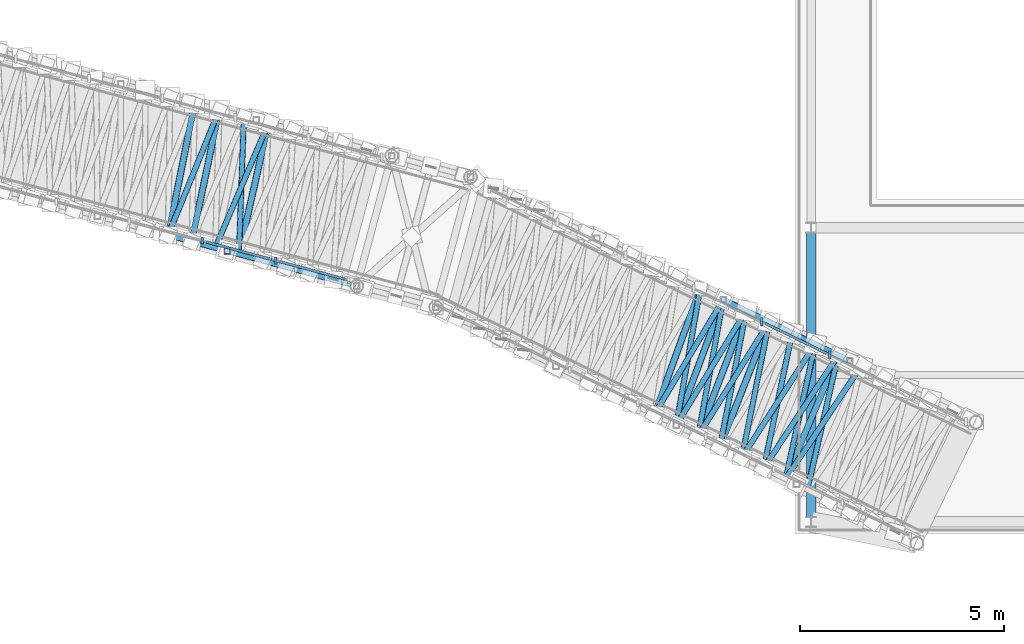
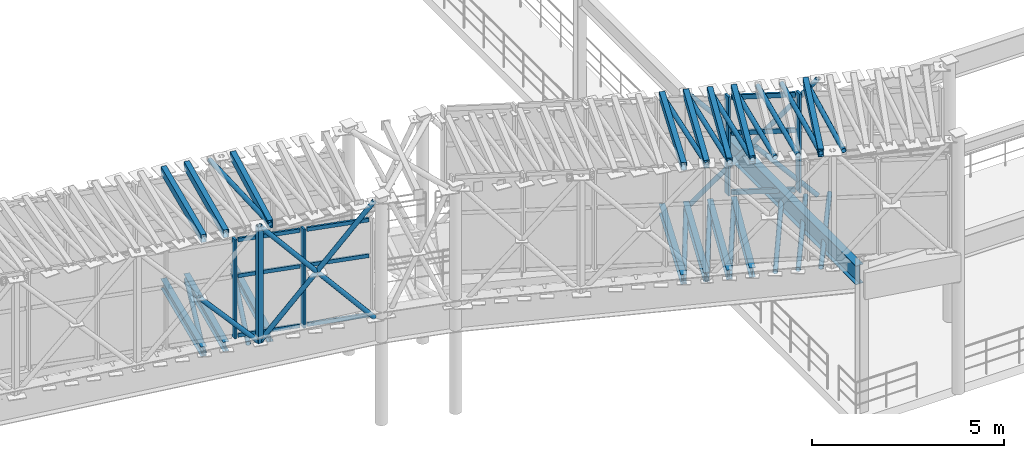
# One storey, part 63 of 144: 45 members, 8 beams, 2 elements without a shape of their own.
"""IFC4 building model written with IfcOpenShell, lengths in metres."""

import ifcopenshell
import ifcopenshell.guid

model = None  # the IFC model being written
_history = None  # IfcOwnerHistory: only IFC2X3 demands one
_inside = {}  # id of a spatial element -> (the spatial element, [elements in it])
_under = {}  # id of a project, library or spatial element -> (it, [spatial elements below it])
_declared = {}  # id of a project -> (the project, [libraries it declares])
_typed = {}  # id of a type object -> (the type object, [elements of that type])
_made_of = {}  # id of a material, layer set ... -> (it, [elements and type objects made of it])


def new_model(schema):
    """Start an empty IFC model of exactly this schema.

    Asked for "IFC4X3", IfcOpenShell would pick the latest addendum, in which some entities
    have other attributes; the version numbers below select the first issue.
    IFC2X3 requires an IfcOwnerHistory on every rooted entity: one is made here for all.
    """
    global model, _history
    if schema == "IFC4X3":
        model = ifcopenshell.file(schema_version=(4, 3, 0, 0))
    else:
        model = ifcopenshell.file(schema=schema)
    _inside.clear()
    _under.clear()
    _declared.clear()
    _typed.clear()
    _made_of.clear()
    _history = None
    if model.schema == "IFC2X3":
        org = make("IfcOrganization", Name="unknown")
        user = make(
            "IfcPersonAndOrganization",
            ThePerson=make("IfcPerson", FamilyName="unknown"),
            TheOrganization=org,
        )
        app = make(
            "IfcApplication",
            ApplicationDeveloper=org,
            Version="unknown",
            ApplicationFullName="unknown",
            ApplicationIdentifier="unknown",
        )
        _history = make(
            "IfcOwnerHistory",
            OwningUser=user,
            OwningApplication=app,
            ChangeAction="ADDED",
            CreationDate=0,
        )
    return model


def make(cls, **values):
    """One entity of the class cls with the attributes given. An attribute that is None is left unset."""
    return model.create_entity(
        cls, **{name: value for name, value in values.items() if value is not None}
    )


def rooted(cls, **values):
    """An entity with a GlobalId (a new one), such as an element, a storey or a relation."""
    return make(cls, GlobalId=ifcopenshell.guid.new(), OwnerHistory=_history, **values)


def si_unit(unit_type, name, prefix=None):
    """IfcSIUnit, for example si_unit("LENGTHUNIT", "METRE", prefix="MILLI")."""
    return make("IfcSIUnit", UnitType=unit_type, Prefix=prefix, Name=name)


def assignment(units):
    """IfcUnitAssignment: the units of a project."""
    return None if units is None else make("IfcUnitAssignment", Units=units)


def point(xyz):
    """IfcCartesianPoint."""
    return None if xyz is None else make("IfcCartesianPoint", Coordinates=xyz)


def direction(xyz):
    """IfcDirection."""
    return None if xyz is None else make("IfcDirection", DirectionRatios=xyz)


def frame(location, z_axis=None, x_axis=None):
    """IfcAxis2Placement3D, a coordinate frame: its origin and axes. An axis left out is left unset."""
    return make(
        "IfcAxis2Placement3D",
        Location=point(location),
        Axis=direction(z_axis),
        RefDirection=direction(x_axis),
    )


def frame_2d(location, x_axis=None):
    """IfcAxis2Placement2D, a coordinate frame in the plane: its origin and x axis."""
    return make(
        "IfcAxis2Placement2D", Location=point(location), RefDirection=direction(x_axis)
    )


def origin():
    """The frame at (0, 0, 0) with its axes left unset."""
    return frame((0.0, 0.0, 0.0))


def origin_2d():
    """The frame at (0, 0) in the plane with its x axis left unset."""
    return frame_2d((0.0, 0.0))


def place(relative_to, where):
    """IfcLocalPlacement: puts the frame where relative to a parent placement (None: the world)."""
    return make(
        "IfcLocalPlacement", PlacementRelTo=relative_to, RelativePlacement=where
    )


def context(
    kind, dimensions, precision=None, world=None, true_north=None, identifier=None
):
    """IfcGeometricRepresentationContext, for example the 3D "Model" context."""
    return make(
        "IfcGeometricRepresentationContext",
        ContextIdentifier=identifier,
        ContextType=kind,
        CoordinateSpaceDimension=dimensions,
        Precision=precision,
        WorldCoordinateSystem=world,
        TrueNorth=true_north,
    )


def subcontext(parent, identifier, kind, view, scale=None):
    """IfcGeometricRepresentationSubContext, for example "Body" below "Model"."""
    return make(
        "IfcGeometricRepresentationSubContext",
        ContextIdentifier=identifier,
        ContextType=kind,
        ParentContext=parent,
        TargetScale=scale,
        TargetView=view,
    )


def project(units=None, contexts=None):
    """IfcProject with its units and contexts."""
    return rooted(
        "IfcProject",
        Name="project",
        RepresentationContexts=contexts,
        UnitsInContext=assignment(units),
    )


def spatial(cls, under=None, at=None, **own):
    """A site, building, storey or space (cls), placed at a placement, below another one or the project."""
    s = rooted(cls, ObjectPlacement=at, **own)
    if under is not None:
        _under.setdefault(under.id(), (under, []))[1].append(s)
    return s


def profile(cls, at=None, kind="AREA", **sizes):
    """A parametric profile (cls). Its sizes go by their IFC names, for example OverallWidth=200.0."""
    return make(cls, ProfileType=kind, Position=at, **sizes)


def rectangle(**sizes):
    """IfcRectangleProfileDef."""
    return profile("IfcRectangleProfileDef", **sizes)


def hollow_rectangle(**sizes):
    """IfcRectangleHollowProfileDef."""
    return profile("IfcRectangleHollowProfileDef", **sizes)


def hollow_circle(**sizes):
    """IfcCircleHollowProfileDef."""
    return profile("IfcCircleHollowProfileDef", **sizes)


def i_section(**sizes):
    """IfcIShapeProfileDef."""
    return profile("IfcIShapeProfileDef", **sizes)


def extrude(swept, where, along, depth):
    """IfcExtrudedAreaSolid: the profile swept, set in the frame where, extruded along a direction by depth."""
    return make(
        "IfcExtrudedAreaSolid",
        SweptArea=swept,
        Position=where,
        ExtrudedDirection=direction(along),
        Depth=depth,
    )


def shape(context_of_items, identifier, shape_type, items):
    """IfcShapeRepresentation: the items that make up one representation, for example the "Body"."""
    return make(
        "IfcShapeRepresentation",
        ContextOfItems=context_of_items,
        RepresentationIdentifier=identifier,
        RepresentationType=shape_type,
        Items=items,
    )


def material(Name=None, Category=None):
    """IfcMaterial."""
    return make("IfcMaterial", Name=Name, Category=Category)


def material_profile(
    of_material, cross_section, Name=None, Category=None, Priority=None
):
    """IfcMaterialProfile: a cross section and its material."""
    return make(
        "IfcMaterialProfile",
        Name=Name,
        Material=of_material,
        Profile=cross_section,
        Priority=Priority,
        Category=Category,
    )


def profile_set(profiles, Name=None, composite=None):
    """IfcMaterialProfileSet."""
    return make(
        "IfcMaterialProfileSet",
        Name=Name,
        MaterialProfiles=profiles,
        CompositeProfile=composite,
    )


def made_of(thing, what):
    """Note that an element or type object is made of a material, layer set ...; save() writes the relation."""
    if what is not None:
        _made_of.setdefault(what.id(), (what, []))[1].append(thing)
    return thing


def type_object(cls, material=None, **own):
    """A type object (cls), such as IfcWallType, which elements share."""
    return made_of(rooted(cls, **own), material)


def element(
    cls,
    number,
    at=None,
    inside=None,
    cuts=None,
    type_object=None,
    material=None,
    context=None,
    identifier="Body",
    shape_type=None,
    held_by="IfcProductDefinitionShape",
    body=None,
    shapes=None,
    **own,
):
    """One element of the class cls, such as IfcWall. Its Tag is "e" and its number.

    at: its placement. inside: the storey or other place that contains it. cuts: it is an
    opening in that element (IfcRelVoidsElement). A single representation is given by context,
    identifier, shape_type and body (its items); several are given by shapes. held_by: the class
    of the entity that holds the representations. save() writes the other relations.
    """
    e = rooted(cls, Tag="e%d" % number, ObjectPlacement=at, **own)
    if body is not None:
        shapes = [shape(context, identifier, shape_type, body)]
    if shapes is not None:
        e.Representation = make(held_by, Representations=shapes)
    if inside is not None:
        _inside.setdefault(inside.id(), (inside, []))[1].append(e)
    if cuts is not None:
        rooted(
            "IfcRelVoidsElement", RelatingBuildingElement=cuts, RelatedOpeningElement=e
        )
    if type_object is not None:
        _typed.setdefault(type_object.id(), (type_object, []))[1].append(e)
    return made_of(e, material)


def aggregate(whole, parts):
    """IfcRelAggregates: a whole, such as a stair, and the parts it consists of."""
    return rooted("IfcRelAggregates", RelatingObject=whole, RelatedObjects=parts)


def save(model, path):
    """Write the relations noted so far, then the file.

    IfcRelAggregates (storeys below a building ...), IfcRelContainedInSpatialStructure (elements
    in a storey), IfcRelDefinesByType, IfcRelAssociatesMaterial and IfcRelDeclares: one each for
    every whole, place, type object, material and project.
    """
    for whole, parts in _under.values():
        aggregate(whole, parts)
    for where, things in _inside.values():
        rooted(
            "IfcRelContainedInSpatialStructure",
            RelatedElements=things,
            RelatingStructure=where,
        )
    for kind, things in _typed.values():
        rooted("IfcRelDefinesByType", RelatedObjects=things, RelatingType=kind)
    for what, things in _made_of.values():
        rooted("IfcRelAssociatesMaterial", RelatedObjects=things, RelatingMaterial=what)
    for by, libraries in _declared.values():
        rooted("IfcRelDeclares", RelatingContext=by, RelatedDefinitions=libraries)
    model.write(path)


model = new_model("IFC4")

# Units and contexts
model_context = context("Model", 3, precision=1e-05, world=origin(), true_north=direction((0.0, 1.0)))
body_context = subcontext(model_context, "Body", "Model", "MODEL_VIEW")
ifc_project = project(units=[si_unit("LENGTHUNIT", "METRE"), si_unit("AREAUNIT", "SQUARE_METRE"), si_unit("VOLUMEUNIT", "CUBIC_METRE"), si_unit("PLANEANGLEUNIT", "RADIAN"), si_unit("MASSUNIT", "GRAM", prefix="KILO")], contexts=[model_context])

# Site, building, storey
site_placement = place(None, origin())
site = spatial("IfcSite", under=ifc_project, at=site_placement, CompositionType="ELEMENT")
building_placement = place(site_placement, origin())
building = spatial("IfcBuilding", under=site, at=building_placement, Name="Cinderbank Siding Concert Hall", CompositionType="ELEMENT")
storey_placement = place(building_placement, frame((0.0, 0.0, 5.39990234375)))
storey = spatial("IfcBuildingStorey", under=building, at=storey_placement, Name="L02", CompositionType="ELEMENT", Elevation=5.39990234375)

# Beam
ifc_material_1 = material(Name="Structural steel AS/NZS 3679.1 Grade 350 (340 MPa)", Category="steel")
ifc_material_profile_1 = material_profile(ifc_material_1, i_section(OverallWidth=0.22802734375, OverallDepth=0.602294921875, WebThickness=0.010498046875, FlangeThickness=0.014892578125, at=origin_2d()), Name="610UB101", Category="LoadBearing")
ifc_profile_set_1 = profile_set([ifc_material_profile_1], Name="Structural steel AS/NZS 3679.1 Grade 350 (340 MPa)")
beam_type_1 = type_object("IfcBeamType", Name="BM-UB610 610UB101", PredefinedType="BEAM", material=ifc_profile_set_1)
beam_1_placement = place(storey_placement, frame((118.39990234375, 88.719970703125, 4.240966796875), z_axis=(0.0, 1.0, 0.0), x_axis=(-1.0, 0.0, 0.0)))
element("IfcBeam", 1, at=beam_1_placement, inside=storey, type_object=beam_type_1, Name="L02 Beam BM-UB610 #1529", PredefinedType="BEAM", context=body_context, shape_type="SweptSolid", body=[
    extrude(i_section(OverallWidth=0.22802734375, OverallDepth=0.602294921875, WebThickness=0.010498046875, FlangeThickness=0.014892578125, at=origin_2d()), origin(), (0.0, 0.0, 1.0), 6.9599609375),
])

# Members
ifc_material_2 = material(Name="Structural steel hollow section AS/NZS 1163 Grade C350L0 (350 MPa)", Category="steel")
ifc_material_profile_2 = material_profile(ifc_material_2, hollow_circle(Radius=0.06982421875, WallThickness=0.00634765625, at=origin_2d()), Name="139.7x6.4CHS", Category="LoadBearing")
ifc_profile_set_2 = profile_set([ifc_material_profile_2], Name="Structural steel hollow section AS/NZS 1163 Grade C350L0 (350 MPa)")
member_type_1 = type_object("IfcMemberType", Name="BR-CHS139 139.7x6.4CHS Roof Truss", PredefinedType="BRACE", material=ifc_profile_set_2)
member_1_placement = place(storey_placement, frame((102.52197265625, 95.65673828125, 4.869140625), z_axis=(0.665065299199, -0.179547040527, -0.724879995613), x_axis=(0.260637993409, 0.965436604025, 0.0)))
element("IfcMember", 2, at=member_1_placement, inside=storey, type_object=member_type_1, Name="L02 Diagonal Brace BR-CHS139 #BRDR-BR-CHS139-L02-0359-S43", PredefinedType="BRACE", context=body_context, shape_type="SweptSolid", body=[
    extrude(hollow_circle(Radius=0.06982421875, WallThickness=0.00634765625, at=origin_2d()), origin(), (0.0, 0.0, 1.0), 2.371337890625),
])
member_2_placement = place(storey_placement, frame((104.09912109375, 95.23095703125, 3.150146484375), z_axis=(0.598119618035, -0.16142835035, 0.78498013365), x_axis=(0.260569645103, 0.965455053356, 0.0)))
element("IfcMember", 3, at=member_2_placement, inside=storey, type_object=member_type_1, Name="L02 Diagonal Brace BR-CHS139 #BRDR-BR-CHS139-L02-0361", PredefinedType="BRACE", context=body_context, shape_type="SweptSolid", body=[
    extrude(hollow_circle(Radius=0.06982421875, WallThickness=0.00634765625, at=origin_2d()), origin(), (0.0, 0.0, 1.0), 5.00146484375),
])
member_3_placement = place(storey_placement, frame((104.09912109375, 95.23095703125, 6.85009765625), z_axis=(0.642670819416, -0.173469386611, -0.746245663156), x_axis=(0.260593414181, 0.965448637932, 0.0)))
element("IfcMember", 4, at=member_3_placement, inside=storey, type_object=member_type_1, Name="L02 Diagonal Brace BR-CHS139 #BRDR-BR-CHS139-L02-0362", PredefinedType="BRACE", context=body_context, shape_type="SweptSolid", body=[
    extrude(hollow_circle(Radius=0.06982421875, WallThickness=0.00634765625, at=origin_2d()), origin(), (0.0, 0.0, 1.0), 2.312255859375),
])
member_4_placement = place(storey_placement, frame((105.6044921875, 94.82470703125, 5.10205078125), z_axis=(0.642620186251, -0.173455719732, -0.746292442354), x_axis=(0.260593414181, 0.965448637932, 0.0)))
element("IfcMember", 5, at=member_4_placement, inside=storey, type_object=member_type_1, Name="L02 Diagonal Brace BR-CHS139 #BRDR-BR-CHS139-L02-0362-S44", PredefinedType="BRACE", context=body_context, shape_type="SweptSolid", body=[
    extrude(hollow_circle(Radius=0.06982421875, WallThickness=0.00634765625, at=origin_2d()), origin(), (0.0, 0.0, 1.0), 2.3125),
])
member_5_placement = place(storey_placement, frame((102.65625, 95.62060546875, 3.071044921875), z_axis=(0.378039932145, 0.925696141418, 0.013132534723), x_axis=(-0.925775976128, 0.378072535401, 0.0)))
element("IfcMember", 6, at=member_5_placement, inside=storey, type_object=member_type_1, Name="L02 Diagonal Brace BR-CHS139 #BRST-BR-CHS139-L02-0404", PredefinedType="BRACE", context=body_context, shape_type="SweptSolid", body=[
    extrude(hollow_circle(Radius=0.06982421875, WallThickness=0.00634765625, at=origin_2d()), origin(), (0.0, 0.0, 1.0), 3.30908203125),
])
member_6_placement = place(storey_placement, frame((103.810546875, 95.308837890625, 3.158203125), z_axis=(0.392305181734, 0.919740971418, 0.013160162581), x_axis=(-0.919820626679, 0.392339157791, 0.0)))
element("IfcMember", 7, at=member_6_placement, inside=storey, type_object=member_type_1, Name="L02 Diagonal Brace BR-CHS139 #BRST-BR-CHS139-L02-0410", PredefinedType="BRACE", context=body_context, shape_type="SweptSolid", body=[
    extrude(hollow_circle(Radius=0.06982421875, WallThickness=0.00634765625, at=origin_2d()), origin(), (0.0, 0.0, 1.0), 3.32080078125),
])
member_7_placement = place(storey_placement, frame((104.51025390625, 98.5234375, 6.79833984375), z_axis=(-0.036264313321, -0.999259172437, 0.012884326888), x_axis=(0.999342124214, -0.03626732374, 0.0)))
element("IfcMember", 8, at=member_7_placement, inside=storey, type_object=member_type_1, Name="L02 Diagonal Brace BR-CHS139 #BRXR-BR-CHS139-L02-0411", PredefinedType="BRACE", context=body_context, shape_type="SweptSolid", body=[
    extrude(hollow_circle(Radius=0.06982421875, WallThickness=0.00634765625, at=origin_2d()), origin(), (0.0, 0.0, 1.0), 3.372802734375),
])
member_8_placement = place(storey_placement, frame((116.248046875, 94.04248046875, 3.8701171875), z_axis=(0.591637403995, -0.286971918437, 0.753400491255), x_axis=(0.436418081237, 0.899743996017, 0.0)))
element("IfcMember", 9, at=member_8_placement, inside=storey, type_object=member_type_1, Name="L02 Diagonal Brace BR-CHS139 #BRDL-BR-CHS139-L02-0446", PredefinedType="BRACE", context=body_context, shape_type="SweptSolid", body=[
    extrude(hollow_circle(Radius=0.06982421875, WallThickness=0.00634765625, at=origin_2d()), origin(), (0.0, 0.0, 1.0), 5.2294921875),
])
member_9_placement = place(storey_placement, frame((116.248046875, 94.04248046875, 7.570068359375), z_axis=(0.634189839364, -0.307678253018, -0.709321746648), x_axis=(0.436494344501, 0.899707000761, 0.0)))
element("IfcMember", 10, at=member_9_placement, inside=storey, type_object=member_type_1, Name="L02 Diagonal Brace BR-CHS139 #BRDL-BR-CHS139-L02-0447", PredefinedType="BRACE", context=body_context, shape_type="SweptSolid", body=[
    extrude(hollow_circle(Radius=0.06982421875, WallThickness=0.00634765625, at=origin_2d()), origin(), (0.0, 0.0, 1.0), 2.424072265625),
])
member_10_placement = place(storey_placement, frame((117.804443359375, 93.28759765625, 5.82958984375), z_axis=(0.634250040162, -0.307658601571, -0.709276442182), x_axis=(0.436438239979, 0.899734217802, 0.0)))
element("IfcMember", 11, at=member_10_placement, inside=storey, type_object=member_type_1, Name="L02 Diagonal Brace BR-CHS139 #BRDL-BR-CHS139-L02-0447-S51", PredefinedType="BRACE", context=body_context, shape_type="SweptSolid", body=[
    extrude(hollow_circle(Radius=0.06982421875, WallThickness=0.00634765625, at=origin_2d()), origin(), (0.0, 0.0, 1.0), 2.42431640625),
])
member_11_placement = place(storey_placement, frame((114.56201171875, 91.228271484375, 3.8564453125), z_axis=(0.51389191128, 0.857751529297, 0.013319816409), x_axis=(-0.857827629493, 0.513937504058, 0.0)))
element("IfcMember", 12, at=member_11_placement, inside=storey, type_object=member_type_1, Name="L02 Diagonal Brace BR-CHS139 #BRST-BR-CHS139-L02-0492", PredefinedType="BRACE", context=body_context, shape_type="SweptSolid", body=[
    extrude(hollow_circle(Radius=0.06982421875, WallThickness=0.00634765625, at=origin_2d()), origin(), (0.0, 0.0, 1.0), 3.281005859375),
])
member_12_placement = place(storey_placement, frame((115.685546875, 94.3154296875, 7.49658203125), z_axis=(-0.172911202311, -0.984854548321, 0.012776336244), x_axis=(0.984934939414, -0.172925316599, 0.0)))
element("IfcMember", 13, at=member_12_placement, inside=storey, type_object=member_type_1, Name="L02 Diagonal Brace BR-CHS139 #BRXR-BR-CHS139-L02-0493", PredefinedType="BRACE", context=body_context, shape_type="SweptSolid", body=[
    extrude(hollow_circle(Radius=0.06982421875, WallThickness=0.00634765625, at=origin_2d()), origin(), (0.0, 0.0, 1.0), 3.4013671875),
])
member_13_placement = place(storey_placement, frame((115.097412109375, 90.965576171875, 3.900146484375), z_axis=(0.521317260293, 0.853260472348, 0.013224237186), x_axis=(-0.853335091422, 0.521362850371, 0.0)))
element("IfcMember", 14, at=member_13_placement, inside=storey, type_object=member_type_1, Name="L02 Diagonal Brace BR-CHS139 #BRST-BR-CHS139-L02-0495", PredefinedType="BRACE", context=body_context, shape_type="SweptSolid", body=[
    extrude(hollow_circle(Radius=0.06982421875, WallThickness=0.00634765625, at=origin_2d()), origin(), (0.0, 0.0, 1.0), 3.2861328125),
])
member_14_placement = place(storey_placement, frame((116.248046875, 94.04248046875, 7.5400390625), z_axis=(-0.181077905317, -0.983384575121, 0.012867385888), x_axis=(0.983465994537, -0.181092897678, 0.0)))
element("IfcMember", 15, at=member_14_placement, inside=storey, type_object=member_type_1, Name="L02 Diagonal Brace BR-CHS139 #BRXR-BR-CHS139-L02-0496", PredefinedType="BRACE", context=body_context, shape_type="SweptSolid", body=[
    extrude(hollow_circle(Radius=0.06982421875, WallThickness=0.00634765625, at=origin_2d()), origin(), (0.0, 0.0, 1.0), 3.396240234375),
])
member_15_placement = place(storey_placement, frame((115.633056640625, 90.70263671875, 3.943603515625), z_axis=(0.528558261188, 0.848793222856, 0.013275140838), x_axis=(-0.848868023888, 0.528604841088, 0.0)))
element("IfcMember", 16, at=member_15_placement, inside=storey, type_object=member_type_1, Name="L02 Diagonal Brace BR-CHS139 #BRST-BR-CHS139-L02-0498", PredefinedType="BRACE", context=body_context, shape_type="SweptSolid", body=[
    extrude(hollow_circle(Radius=0.06982421875, WallThickness=0.00634765625, at=origin_2d()), origin(), (0.0, 0.0, 1.0), 3.2919921875),
])
member_16_placement = place(storey_placement, frame((116.810546875, 93.76953125, 7.583740234375), z_axis=(-0.189269608091, -0.981840591535, 0.012886747755), x_axis=(0.981922127973, -0.189285325887, 0.0)))
element("IfcMember", 17, at=member_16_placement, inside=storey, type_object=member_type_1, Name="L02 Diagonal Brace BR-CHS139 #BRXR-BR-CHS139-L02-0499", PredefinedType="BRACE", context=body_context, shape_type="SweptSolid", body=[
    extrude(hollow_circle(Radius=0.06982421875, WallThickness=0.00634765625, at=origin_2d()), origin(), (0.0, 0.0, 1.0), 3.39111328125),
])
member_17_placement = place(storey_placement, frame((117.373046875, 93.496826171875, 7.62744140625), z_axis=(-0.197458445563, -0.980227267002, 0.012832275761), x_axis=(0.98030798266, -0.197474705046, 0.0)))
element("IfcMember", 18, at=member_17_placement, inside=storey, type_object=member_type_1, Name="L02 Diagonal Brace BR-CHS139 #BRXR-BR-CHS139-L02-0502", PredefinedType="BRACE", context=body_context, shape_type="SweptSolid", body=[
    extrude(hollow_circle(Radius=0.06982421875, WallThickness=0.00634765625, at=origin_2d()), origin(), (0.0, 0.0, 1.0), 3.386474609375),
])
member_18_placement = place(storey_placement, frame((116.704345703125, 90.17724609375, 4.031005859375), z_axis=(0.543035198577, 0.83960572823, 0.013228538452), x_axis=(-0.839679200952, 0.543082718827, 0.0)))
element("IfcMember", 19, at=member_18_placement, inside=storey, type_object=member_type_1, Name="L02 Diagonal Brace BR-CHS139 #BRST-BR-CHS139-L02-0504", PredefinedType="BRACE", context=body_context, shape_type="SweptSolid", body=[
    extrude(hollow_circle(Radius=0.06982421875, WallThickness=0.00634765625, at=origin_2d()), origin(), (0.0, 0.0, 1.0), 3.303466796875),
])
member_19_placement = place(storey_placement, frame((117.935546875, 93.223876953125, 7.6708984375), z_axis=(-0.205654939696, -0.978539263785, 0.012921107127), x_axis=(0.978620960031, -0.205672109408, 0.0)))
element("IfcMember", 20, at=member_19_placement, inside=storey, type_object=member_type_1, Name="L02 Diagonal Brace BR-CHS139 #BRXR-BR-CHS139-L02-0505", PredefinedType="BRACE", context=body_context, shape_type="SweptSolid", body=[
    extrude(hollow_circle(Radius=0.06982421875, WallThickness=0.00634765625, at=origin_2d()), origin(), (0.0, 0.0, 1.0), 3.382080078125),
])
member_20_placement = place(storey_placement, frame((117.239990234375, 89.914306640625, 4.07470703125), z_axis=(0.550081907972, 0.835006339521, 0.01320255585), x_axis=(-0.835079122962, 0.550129855936, 0.0)))
element("IfcMember", 21, at=member_20_placement, inside=storey, type_object=member_type_1, Name="L02 Diagonal Brace BR-CHS139 #BRST-BR-CHS139-L02-0507", PredefinedType="BRACE", context=body_context, shape_type="SweptSolid", body=[
    extrude(hollow_circle(Radius=0.06982421875, WallThickness=0.00634765625, at=origin_2d()), origin(), (0.0, 0.0, 1.0), 3.31005859375),
])
member_21_placement = place(storey_placement, frame((118.498291015625, 92.950927734375, 7.714599609375), z_axis=(-0.214010928353, -0.976745587897, 0.012937506307), x_axis=(0.976827341544, -0.214028841077, 0.0)))
element("IfcMember", 22, at=member_21_placement, inside=storey, type_object=member_type_1, Name="L02 Diagonal Brace BR-CHS139 #BRXR-BR-CHS139-L02-0508", PredefinedType="BRACE", context=body_context, shape_type="SweptSolid", body=[
    extrude(hollow_circle(Radius=0.06982421875, WallThickness=0.00634765625, at=origin_2d()), origin(), (0.0, 0.0, 1.0), 3.3779296875),
])
member_22_placement = place(storey_placement, frame((117.775390625, 89.651611328125, 4.118408203125), z_axis=(0.557181182449, 0.830287562008, 0.013103217133), x_axis=(-0.830358849009, 0.557229021025, 0.0)))
element("IfcMember", 23, at=member_22_placement, inside=storey, type_object=member_type_1, Name="L02 Diagonal Brace BR-CHS139 #BRST-BR-CHS139-L02-0510", PredefinedType="BRACE", context=body_context, shape_type="SweptSolid", body=[
    extrude(hollow_circle(Radius=0.06982421875, WallThickness=0.00634765625, at=origin_2d()), origin(), (0.0, 0.0, 1.0), 3.31640625),
])
member_23_placement = place(storey_placement, frame((119.060791015625, 92.67822265625, 7.75830078125), z_axis=(-0.222218597268, -0.974910830671, 0.012952500459), x_axis=(0.974992620026, -0.222237240117, 0.0)))
element("IfcMember", 24, at=member_23_placement, inside=storey, type_object=member_type_1, Name="L02 Diagonal Brace BR-CHS139 #BRXR-BR-CHS139-L02-0511", PredefinedType="BRACE", context=body_context, shape_type="SweptSolid", body=[
    extrude(hollow_circle(Radius=0.06982421875, WallThickness=0.00634765625, at=origin_2d()), origin(), (0.0, 0.0, 1.0), 3.3740234375),
])
ifc_material_profile_3 = material_profile(ifc_material_2, hollow_rectangle(XDim=0.14990234375, YDim=0.14990234375, WallThickness=0.008056640625, at=origin_2d()), Name="150x150x8.0SHS", Category="LoadBearing")
ifc_profile_set_3 = profile_set([ifc_material_profile_3], Name="Structural steel hollow section AS/NZS 1163 Grade C350L0 (350 MPa)")
member_type_2 = type_object("IfcMemberType", Name="BR-SHS150 150x150x8.0SHS Roof Truss", PredefinedType="BRACE", material=ifc_profile_set_3)
member_24_placement = place(storey_placement, frame((104.09912109375, 95.23095703125, 3.150146484375), z_axis=(0.0, 0.0, 1.0), x_axis=(1.0, 0.0, 0.0)))
element("IfcMember", 25, at=member_24_placement, inside=storey, type_object=member_type_2, Name="L02 Diagonal Brace BR-SHS150 #BRVR-BR-SHS150-L02-0360", PredefinedType="BRACE", context=body_context, shape_type="SweptSolid", body=[
    extrude(hollow_rectangle(XDim=0.14990234375, YDim=0.14990234375, WallThickness=0.008056640625, at=origin_2d()), origin(), (0.0, 0.0, 1.0), 3.699951171875),
])

# Curtain wall, members
ifc_material_3 = material(Name="Anodised aluminium alloy 6063-T6", Category="aluminium")
curtain_wall_type = type_object("IfcCurtainWallType", Name="CW-15 Unitised Acoustic Curtain Wall 12800x3200", PredefinedType="NOTDEFINED", material=ifc_material_3)
curtain_wall_1_placement = place(storey_placement, origin())
curtain_wall_1 = element("IfcCurtainWall", 26, at=curtain_wall_1_placement, inside=storey, type_object=curtain_wall_type, Name="L02 Curtain Wall CW-15 #160", PredefinedType="NOTDEFINED")
ifc_material_profile_4 = material_profile(ifc_material_3, rectangle(XDim=0.06005859375, YDim=0.159912109375, at=origin_2d()), Name="ALU-MULL-60x160", Category="LoadBearing")
ifc_profile_set_4 = profile_set([ifc_material_profile_4], Name="Anodised aluminium alloy 6063-T6")
member_type_3 = type_object("IfcMemberType", Name="CW-ML1 Mullion 60x160", PredefinedType="MULLION", material=ifc_profile_set_4)
member_25_placement = place(storey_placement, frame((103.494140625, 95.479736328125, 3.360107421875), z_axis=(0.0, 0.0, 1.0), x_axis=(1.0, 0.0, 0.0)))
member_25 = element("IfcMember", 27, at=member_25_placement, type_object=member_type_3, Name="CW-L02-160 Mullion 5", PredefinedType="MULLION", context=body_context, shape_type="SweptSolid", body=[
    extrude(rectangle(XDim=0.06005859375, YDim=0.159912109375, at=origin_2d()), origin(), (0.0, 0.0, 1.0), 3.14990234375),
])
member_26_placement = place(storey_placement, frame((105.2861328125, 94.99951171875, 3.360107421875), z_axis=(0.0, 0.0, 1.0), x_axis=(1.0, 0.0, 0.0)))
member_26 = element("IfcMember", 28, at=member_26_placement, type_object=member_type_3, Name="CW-L02-160 Mullion 6", PredefinedType="MULLION", context=body_context, shape_type="SweptSolid", body=[
    extrude(rectangle(XDim=0.06005859375, YDim=0.159912109375, at=origin_2d()), origin(), (0.0, 0.0, 1.0), 3.14990234375),
])

curtain_wall_2_placement = place(storey_placement, origin())
curtain_wall_2 = element("IfcCurtainWall", 29, at=curtain_wall_2_placement, inside=storey, type_object=curtain_wall_type, Name="L02 Curtain Wall CW-15 #161", PredefinedType="NOTDEFINED")
ifc_material_profile_5 = material_profile(ifc_material_3, rectangle(XDim=0.06494140625, YDim=0.199951171875, at=origin_2d()), Name="ALU-MULL-65x200", Category="LoadBearing")
ifc_profile_set_5 = profile_set([ifc_material_profile_5], Name="Anodised aluminium alloy 6063-T6")
member_type_4 = type_object("IfcMemberType", Name="CW-ML2 Mullion 65x200", PredefinedType="MULLION", material=ifc_profile_set_5)
member_27_placement = place(storey_placement, frame((117.1904296875, 93.49951171875, 4.320068359375), z_axis=(0.0, 0.0, 1.0), x_axis=(1.0, 0.0, 0.0)))
member_27 = element("IfcMember", 30, at=member_27_placement, type_object=member_type_4, Name="CW-L02-161 Mullion 4", PredefinedType="MULLION", context=body_context, shape_type="SweptSolid", body=[
    extrude(rectangle(XDim=0.06494140625, YDim=0.199951171875, at=origin_2d()), origin(), (0.0, 0.0, 1.0), 3.150146484375),
])
member_28_placement = place(storey_placement, frame((118.85791015625, 92.686279296875, 4.320068359375), z_axis=(0.0, 0.0, 1.0), x_axis=(1.0, 0.0, 0.0)))
member_28 = element("IfcMember", 31, at=member_28_placement, type_object=member_type_4, Name="CW-L02-161 Mullion 5", PredefinedType="MULLION", context=body_context, shape_type="SweptSolid", body=[
    extrude(rectangle(XDim=0.06494140625, YDim=0.199951171875, at=origin_2d()), origin(), (0.0, 0.0, 1.0), 3.150146484375),
])

# Member
ifc_material_profile_6 = material_profile(ifc_material_3, rectangle(XDim=0.06005859375, YDim=0.1201171875, at=origin_2d()), Name="ALU-TRAN-60x120", Category="LoadBearing")
ifc_profile_set_6 = profile_set([ifc_material_profile_6], Name="Anodised aluminium alloy 6063-T6")
member_type_5 = type_object("IfcMemberType", Name="CW-TR1 Transom 60x120", PredefinedType="USERDEFINED", material=ifc_profile_set_6)
member_29_placement = place(storey_placement, frame((103.583740234375, 95.455810546875, 3.420166015625), z_axis=(0.965928471546, -0.258809172667, 0.0), x_axis=(0.258809172667, 0.965928471546, 0.0)))
member_29 = element("IfcMember", 32, at=member_29_placement, type_object=member_type_5, Name="CW-L02-160 Transom 5-0", ObjectType="TRANSOM", PredefinedType="USERDEFINED", context=body_context, shape_type="SweptSolid", body=[
    extrude(rectangle(XDim=0.06005859375, YDim=0.1201171875, at=origin_2d()), origin(), (0.0, 0.0, 1.0), 1.669677734375),
])

member_30_placement = place(storey_placement, frame((103.583740234375, 95.455810546875, 5.31298828125), z_axis=(0.965928471546, -0.258809172667, 0.0), x_axis=(0.258809172667, 0.965928471546, 0.0)))
member_30 = element("IfcMember", 33, at=member_30_placement, type_object=member_type_5, Name="CW-L02-160 Transom 5-1", ObjectType="TRANSOM", PredefinedType="USERDEFINED", context=body_context, shape_type="SweptSolid", body=[
    extrude(rectangle(XDim=0.06005859375, YDim=0.1201171875, at=origin_2d()), origin(), (0.0, 0.0, 1.0), 1.669677734375),
])

member_31_placement = place(storey_placement, frame((103.583740234375, 95.455810546875, 6.4501953125), z_axis=(0.965928471546, -0.258809172667, 0.0), x_axis=(0.258809172667, 0.965928471546, 0.0)))
member_31 = element("IfcMember", 34, at=member_31_placement, type_object=member_type_5, Name="CW-L02-160 Transom 5-2", ObjectType="TRANSOM", PredefinedType="USERDEFINED", context=body_context, shape_type="SweptSolid", body=[
    extrude(rectangle(XDim=0.06005859375, YDim=0.1201171875, at=origin_2d()), origin(), (0.0, 0.0, 1.0), 1.669677734375),
])

member_32_placement = place(storey_placement, frame((105.375732421875, 94.9755859375, 3.420166015625), z_axis=(0.965918675344, -0.258845731319, 0.0), x_axis=(0.258845731319, 0.965918675344, 0.0)))
member_32 = element("IfcMember", 35, at=member_32_placement, type_object=member_type_5, Name="CW-L02-160 Transom 6-0", ObjectType="TRANSOM", PredefinedType="USERDEFINED", context=body_context, shape_type="SweptSolid", body=[
    extrude(rectangle(XDim=0.06005859375, YDim=0.1201171875, at=origin_2d()), origin(), (0.0, 0.0, 1.0), 1.66943359375),
])

member_33_placement = place(storey_placement, frame((105.375732421875, 94.9755859375, 5.31298828125), z_axis=(0.965918675344, -0.258845731319, 0.0), x_axis=(0.258845731319, 0.965918675344, 0.0)))
member_33 = element("IfcMember", 36, at=member_33_placement, type_object=member_type_5, Name="CW-L02-160 Transom 6-1", ObjectType="TRANSOM", PredefinedType="USERDEFINED", context=body_context, shape_type="SweptSolid", body=[
    extrude(rectangle(XDim=0.06005859375, YDim=0.1201171875, at=origin_2d()), origin(), (0.0, 0.0, 1.0), 1.66943359375),
])

member_34_placement = place(storey_placement, frame((105.375732421875, 94.9755859375, 6.4501953125), z_axis=(0.965918675344, -0.258845731319, 0.0), x_axis=(0.258845731319, 0.965918675344, 0.0)))
member_34 = element("IfcMember", 37, at=member_34_placement, type_object=member_type_5, Name="CW-L02-160 Transom 6-2", ObjectType="TRANSOM", PredefinedType="USERDEFINED", context=body_context, shape_type="SweptSolid", body=[
    extrude(rectangle(XDim=0.06005859375, YDim=0.1201171875, at=origin_2d()), origin(), (0.0, 0.0, 1.0), 1.66943359375),
])

aggregate(curtain_wall_1, [member_25, member_26, member_29, member_30, member_31, member_32, member_33, member_34])

ifc_material_profile_7 = material_profile(ifc_material_3, rectangle(XDim=0.06494140625, YDim=0.14990234375, at=origin_2d()), Name="ALU-TRAN-65x150", Category="LoadBearing")
ifc_profile_set_7 = profile_set([ifc_material_profile_7], Name="Anodised aluminium alloy 6063-T6")
member_type_6 = type_object("IfcMemberType", Name="CW-TR2 Transom 65x150", PredefinedType="USERDEFINED", material=ifc_profile_set_7)
member_35_placement = place(storey_placement, frame((117.273681640625, 93.458984375, 4.380126953125), z_axis=(0.898799359184, -0.438360253593, 0.0), x_axis=(0.438360253593, 0.898799359184, 0.0)))
member_35 = element("IfcMember", 38, at=member_35_placement, type_object=member_type_6, Name="CW-L02-161 Transom 4-0", ObjectType="TRANSOM", PredefinedType="USERDEFINED", context=body_context, shape_type="SweptSolid", body=[
    extrude(rectangle(XDim=0.06494140625, YDim=0.14990234375, at=origin_2d()), origin(), (0.0, 0.0, 1.0), 1.669677734375),
])

member_36_placement = place(storey_placement, frame((117.273681640625, 93.458984375, 6.273193359375), z_axis=(0.898799359184, -0.438360253593, 0.0), x_axis=(0.438360253593, 0.898799359184, 0.0)))
member_36 = element("IfcMember", 39, at=member_36_placement, type_object=member_type_6, Name="CW-L02-161 Transom 4-1", ObjectType="TRANSOM", PredefinedType="USERDEFINED", context=body_context, shape_type="SweptSolid", body=[
    extrude(rectangle(XDim=0.06494140625, YDim=0.14990234375, at=origin_2d()), origin(), (0.0, 0.0, 1.0), 1.669677734375),
])

member_37_placement = place(storey_placement, frame((117.273681640625, 93.458984375, 7.41015625), z_axis=(0.898799359184, -0.438360253593, 0.0), x_axis=(0.438360253593, 0.898799359184, 0.0)))
member_37 = element("IfcMember", 40, at=member_37_placement, type_object=member_type_6, Name="CW-L02-161 Transom 4-2", ObjectType="TRANSOM", PredefinedType="USERDEFINED", context=body_context, shape_type="SweptSolid", body=[
    extrude(rectangle(XDim=0.06494140625, YDim=0.14990234375, at=origin_2d()), origin(), (0.0, 0.0, 1.0), 1.669677734375),
])

aggregate(curtain_wall_2, [member_27, member_28, member_35, member_36, member_37])

# Beams
ifc_material_profile_8 = material_profile(ifc_material_1, i_section(OverallWidth=0.1650390625, OverallDepth=0.303955078125, WebThickness=0.006103515625, FlangeThickness=0.01025390625, at=origin_2d()), Name="310UB40.4", Category="LoadBearing")
ifc_profile_set_8 = profile_set([ifc_material_profile_8], Name="Structural steel AS/NZS 3679.1 Grade 350 (340 MPa)")
beam_type_2 = type_object("IfcBeamType", Name="JS-UB310 310UB40.4", PredefinedType="JOIST", material=ifc_profile_set_8)
beam_2_placement = place(storey_placement, frame((102.65625, 95.62060546875, 3.118896484375), z_axis=(0.197129808133, 0.98037739608, 0.0), x_axis=(-0.98037739608, 0.197129808133, 0.0)))
element("IfcBeam", 41, at=beam_2_placement, inside=storey, type_object=beam_type_2, Name="L02 Beam JS-UB310 #2000", PredefinedType="JOIST", context=body_context, shape_type="SweptSolid", body=[
    extrude(i_section(OverallWidth=0.1650390625, OverallDepth=0.303955078125, WebThickness=0.006103515625, FlangeThickness=0.01025390625, at=origin_2d()), origin(), (0.0, 0.0, 1.0), 3.2880859375),
])
beam_3_placement = place(storey_placement, frame((103.2333984375, 95.464599609375, 3.16259765625), z_axis=(0.204873077003, 0.978788548318, 0.0), x_axis=(-0.978788548318, 0.204873077003, 0.0)))
element("IfcBeam", 42, at=beam_3_placement, inside=storey, type_object=beam_type_2, Name="L02 Beam JS-UB310 #2001", PredefinedType="JOIST", context=body_context, shape_type="SweptSolid", body=[
    extrude(i_section(OverallWidth=0.1650390625, OverallDepth=0.303955078125, WebThickness=0.006103515625, FlangeThickness=0.01025390625, at=origin_2d()), origin(), (0.0, 0.0, 1.0), 3.2890625),
])
beam_4_placement = place(storey_placement, frame((104.387939453125, 95.153076171875, 3.25), z_axis=(0.220408875165, 0.975407570069, 0.0), x_axis=(-0.975407570069, 0.220408875165, 0.0)))
element("IfcBeam", 43, at=beam_4_placement, inside=storey, type_object=beam_type_2, Name="L02 Beam JS-UB310 #2003", PredefinedType="JOIST", context=body_context, shape_type="SweptSolid", body=[
    extrude(i_section(OverallWidth=0.1650390625, OverallDepth=0.303955078125, WebThickness=0.006103515625, FlangeThickness=0.01025390625, at=origin_2d()), origin(), (0.0, 0.0, 1.0), 3.290771484375),
])
beam_5_placement = place(storey_placement, frame((114.56201171875, 91.228271484375, 3.904541015625), z_axis=(0.341993657734, 0.93970226033, 0.0), x_axis=(-0.93970226033, 0.341993657734, 0.0)))
element("IfcBeam", 44, at=beam_5_placement, inside=storey, type_object=beam_type_2, Name="L02 Beam JS-UB310 #2024", PredefinedType="JOIST", context=body_context, shape_type="SweptSolid", body=[
    extrude(i_section(OverallWidth=0.1650390625, OverallDepth=0.303955078125, WebThickness=0.006103515625, FlangeThickness=0.01025390625, at=origin_2d()), origin(), (0.0, 0.0, 1.0), 3.28515625),
])
beam_6_placement = place(storey_placement, frame((115.097412109375, 90.965576171875, 3.947998046875), z_axis=(0.350268111099, 0.936649481048, 0.0), x_axis=(-0.936649481048, 0.350268111099, 0.0)))
element("IfcBeam", 45, at=beam_6_placement, inside=storey, type_object=beam_type_2, Name="L02 Beam JS-UB310 #2025", PredefinedType="JOIST", context=body_context, shape_type="SweptSolid", body=[
    extrude(i_section(OverallWidth=0.1650390625, OverallDepth=0.303955078125, WebThickness=0.006103515625, FlangeThickness=0.01025390625, at=origin_2d()), origin(), (0.0, 0.0, 1.0), 3.284912109375),
])
beam_7_placement = place(storey_placement, frame((115.633056640625, 90.70263671875, 3.99169921875), z_axis=(0.358426242947, 0.933558047668, 0.0), x_axis=(-0.933558047668, 0.358426242947, 0.0)))
element("IfcBeam", 46, at=beam_7_placement, inside=storey, type_object=beam_type_2, Name="L02 Beam JS-UB310 #2026", PredefinedType="JOIST", context=body_context, shape_type="SweptSolid", body=[
    extrude(i_section(OverallWidth=0.1650390625, OverallDepth=0.303955078125, WebThickness=0.006103515625, FlangeThickness=0.01025390625, at=origin_2d()), origin(), (0.0, 0.0, 1.0), 3.28515625),
])
beam_8_placement = place(storey_placement, frame((116.168701171875, 90.43994140625, 4.035400390625), z_axis=(0.366555705791, 0.930396106265, 0.0), x_axis=(-0.930396106265, 0.366555705791, 0.0)))
element("IfcBeam", 47, at=beam_8_placement, inside=storey, type_object=beam_type_2, Name="L02 Beam JS-UB310 #2027", PredefinedType="JOIST", context=body_context, shape_type="SweptSolid", body=[
    extrude(i_section(OverallWidth=0.1650390625, OverallDepth=0.303955078125, WebThickness=0.006103515625, FlangeThickness=0.01025390625, at=origin_2d()), origin(), (0.0, 0.0, 1.0), 3.28564453125),
])

# Members
ifc_material_profile_9 = material_profile(ifc_material_2, hollow_rectangle(XDim=0.14990234375, YDim=0.25, WallThickness=0.009033203125, at=origin_2d()), Name="250x150x9.0RHS", Category="LoadBearing")
ifc_profile_set_9 = profile_set([ifc_material_profile_9], Name="Structural steel hollow section AS/NZS 1163 Grade C350L0 (350 MPa)")
member_type_7 = type_object("IfcMemberType", Name="PR-RHS250 250x150x9.0RHS Roof Truss", PredefinedType="PURLIN", material=ifc_profile_set_9)
member_38_placement = place(storey_placement, frame((102.65625, 95.62060546875, 6.7109375), z_axis=(0.197129808133, 0.98037739608, 0.0), x_axis=(-0.98037739608, 0.197129808133, 0.0)))
element("IfcMember", 48, at=member_38_placement, inside=storey, type_object=member_type_7, Name="L02 Roof Truss Member PR-RHS250 #400", PredefinedType="PURLIN", context=body_context, shape_type="SweptSolid", body=[
    extrude(hollow_rectangle(XDim=0.14990234375, YDim=0.25, WallThickness=0.009033203125, at=origin_2d()), origin(), (0.0, 0.0, 1.0), 3.2880859375),
])
member_39_placement = place(storey_placement, frame((103.2333984375, 95.464599609375, 6.754638671875), z_axis=(0.204873077003, 0.978788548318, 0.0), x_axis=(-0.978788548318, 0.204873077003, 0.0)))
element("IfcMember", 49, at=member_39_placement, inside=storey, type_object=member_type_7, Name="L02 Roof Truss Member PR-RHS250 #403", PredefinedType="PURLIN", context=body_context, shape_type="SweptSolid", body=[
    extrude(hollow_rectangle(XDim=0.14990234375, YDim=0.25, WallThickness=0.009033203125, at=origin_2d()), origin(), (0.0, 0.0, 1.0), 3.2890625),
])
member_40_placement = place(storey_placement, frame((104.387939453125, 95.153076171875, 6.841796875), z_axis=(0.220408875165, 0.975407570069, 0.0), x_axis=(-0.975407570069, 0.220408875165, 0.0)))
element("IfcMember", 50, at=member_40_placement, inside=storey, type_object=member_type_7, Name="L02 Roof Truss Member PR-RHS250 #409", PredefinedType="PURLIN", context=body_context, shape_type="SweptSolid", body=[
    extrude(hollow_rectangle(XDim=0.14990234375, YDim=0.25, WallThickness=0.009033203125, at=origin_2d()), origin(), (0.0, 0.0, 1.0), 3.290771484375),
])
member_41_placement = place(storey_placement, frame((114.56201171875, 91.228271484375, 7.49658203125), z_axis=(0.341993657734, 0.93970226033, 0.0), x_axis=(-0.93970226033, 0.341993657734, 0.0)))
element("IfcMember", 51, at=member_41_placement, inside=storey, type_object=member_type_7, Name="L02 Roof Truss Member PR-RHS250 #488", PredefinedType="PURLIN", context=body_context, shape_type="SweptSolid", body=[
    extrude(hollow_rectangle(XDim=0.14990234375, YDim=0.25, WallThickness=0.009033203125, at=origin_2d()), origin(), (0.0, 0.0, 1.0), 3.28515625),
])
member_42_placement = place(storey_placement, frame((115.097412109375, 90.965576171875, 7.5400390625), z_axis=(0.350268111099, 0.936649481048, 0.0), x_axis=(-0.936649481048, 0.350268111099, 0.0)))
element("IfcMember", 52, at=member_42_placement, inside=storey, type_object=member_type_7, Name="L02 Roof Truss Member PR-RHS250 #491", PredefinedType="PURLIN", context=body_context, shape_type="SweptSolid", body=[
    extrude(hollow_rectangle(XDim=0.14990234375, YDim=0.25, WallThickness=0.009033203125, at=origin_2d()), origin(), (0.0, 0.0, 1.0), 3.284912109375),
])
member_43_placement = place(storey_placement, frame((115.633056640625, 90.70263671875, 7.583740234375), z_axis=(0.358426242947, 0.933558047668, 0.0), x_axis=(-0.933558047668, 0.358426242947, 0.0)))
element("IfcMember", 53, at=member_43_placement, inside=storey, type_object=member_type_7, Name="L02 Roof Truss Member PR-RHS250 #494", PredefinedType="PURLIN", context=body_context, shape_type="SweptSolid", body=[
    extrude(hollow_rectangle(XDim=0.14990234375, YDim=0.25, WallThickness=0.009033203125, at=origin_2d()), origin(), (0.0, 0.0, 1.0), 3.28515625),
])
member_44_placement = place(storey_placement, frame((116.168701171875, 90.43994140625, 7.62744140625), z_axis=(0.366555705791, 0.930396106265, 0.0), x_axis=(-0.930396106265, 0.366555705791, 0.0)))
element("IfcMember", 54, at=member_44_placement, inside=storey, type_object=member_type_7, Name="L02 Roof Truss Member PR-RHS250 #497", PredefinedType="PURLIN", context=body_context, shape_type="SweptSolid", body=[
    extrude(hollow_rectangle(XDim=0.14990234375, YDim=0.25, WallThickness=0.009033203125, at=origin_2d()), origin(), (0.0, 0.0, 1.0), 3.28564453125),
])
member_45_placement = place(storey_placement, frame((117.775390625, 89.651611328125, 7.75830078125), z_axis=(0.390906372778, 0.920430446977, 0.0), x_axis=(-0.920430446977, 0.390906372778, 0.0)))
element("IfcMember", 55, at=member_45_placement, inside=storey, type_object=member_type_7, Name="L02 Roof Truss Member PR-RHS250 #506", PredefinedType="PURLIN", context=body_context, shape_type="SweptSolid", body=[
    extrude(hollow_rectangle(XDim=0.14990234375, YDim=0.25, WallThickness=0.009033203125, at=origin_2d()), origin(), (0.0, 0.0, 1.0), 3.288330078125),
])

save(model, "model.ifc")
